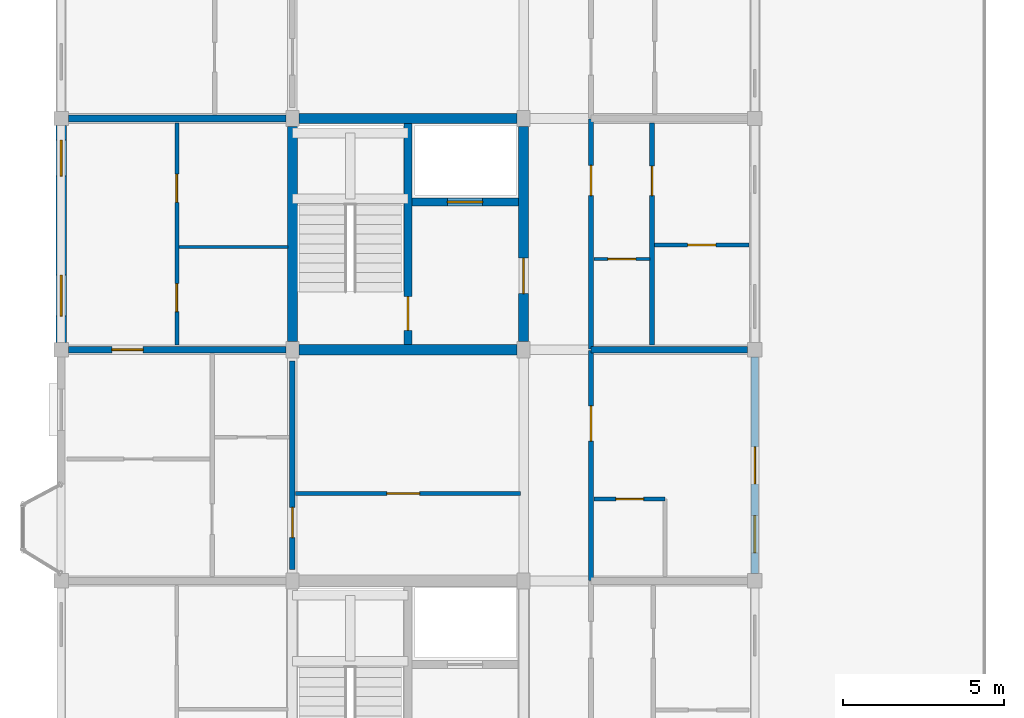
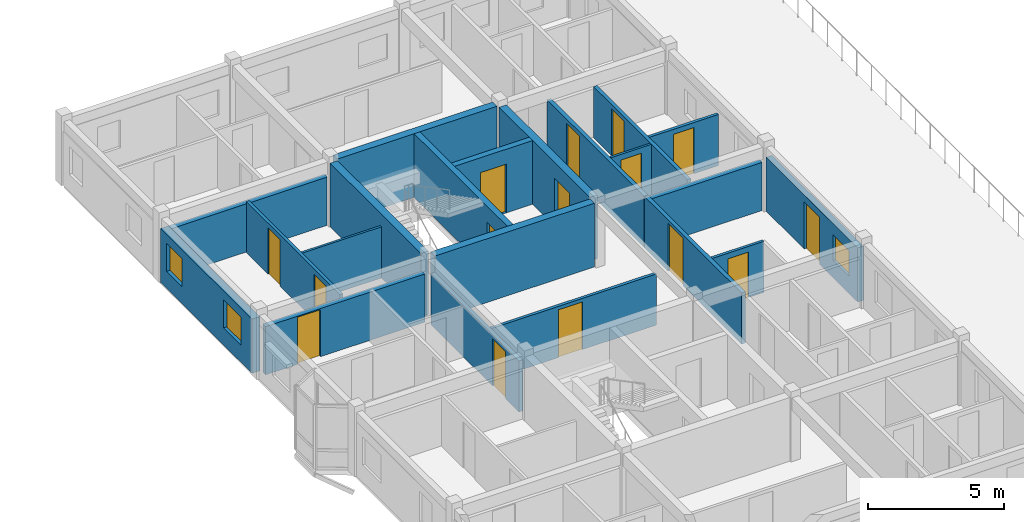
# One storey, part 28 of 40: 21 walls, 15 doors, 3 windows, 18 openings.
"""IFC4 building model written with IfcOpenShell, lengths in metres."""

from ifc_helpers import new_model, si_unit, direction, frame, frame_2d, origin, place, context, subcontext, project, spatial, rectangle, extrude, material, layer, layer_set, type_object, element, fill, save


model = new_model("IFC4")

# Units and contexts
model_context = context("Model", 3, precision=1e-05, world=origin(), true_north=direction((0.0, 1.0)))
body_context = subcontext(model_context, "Body", "Model", "MODEL_VIEW")
ifc_project = project(units=[si_unit("LENGTHUNIT", "METRE"), si_unit("AREAUNIT", "SQUARE_METRE"), si_unit("VOLUMEUNIT", "CUBIC_METRE"), si_unit("PLANEANGLEUNIT", "RADIAN"), si_unit("MASSUNIT", "GRAM", prefix="KILO"), si_unit("THERMODYNAMICTEMPERATUREUNIT", "KELVIN"), si_unit("POWERUNIT", "WATT")], contexts=[model_context])

# Site, building, storey
site_placement = place(None, origin())
site = spatial("IfcSite", under=ifc_project, at=site_placement, CompositionType="ELEMENT")
building_placement = place(site_placement, origin())
building = spatial("IfcBuilding", under=site, at=building_placement, Name="Tavuni Mirador Residences", CompositionType="ELEMENT")
storey_placement = place(building_placement, frame((0.0, 0.0, 36.0)))
storey = spatial("IfcBuildingStorey", under=building, at=storey_placement, Name="L11", CompositionType="ELEMENT", Elevation=36.0)

# Wall, opening, door
ifc_material_1 = material(Name="Precast concrete C40/50", Category="concrete")
ifc_layer_1 = layer(ifc_material_1, 0.25, Name="Precast concrete C40/50", Category="concrete")
ifc_layer_set_1 = layer_set([ifc_layer_1], Name="Precast concrete C40/50")
wall_type_1 = type_object("IfcWallType", Name="WT-COR250", PredefinedType="SHEAR", material=ifc_layer_set_1)
wall_1_placement = place(storey_placement, frame((14.39990234375, 28.9599609375, 0.0), z_axis=(0.0, 0.0, 1.0), x_axis=(0.0, 1.0, 0.0)))
wall_1 = element("IfcWall", 1, at=wall_1_placement, inside=storey, type_object=wall_type_1, Name="CWALL-C2-L11-MID", PredefinedType="SHEAR", context=body_context, shape_type="SweptSolid", body=[
    extrude(rectangle(XDim=6.880126953125, YDim=0.25, at=frame_2d((3.43994140625, 0.0))), origin(), (0.0, 0.0, 1.0), 2.8701171875),
])
opening_1_placement = place(wall_1_placement, frame((0.43994140625, 0.0, 0.0)))
opening_1 = element("IfcOpeningElement", 2, at=opening_1_placement, cuts=wall_1, Name="Opening D-01", PredefinedType="OPENING", context=body_context, shape_type="SweptSolid", body=[
    extrude(rectangle(XDim=1.050048828125, YDim=2.14990234375, at=frame_2d((0.52490234375, 1.074951171875))), frame((0.0, 0.135009765625, 0.0), z_axis=(0.0, -1.0, 0.0), x_axis=(1.0, 0.0, 0.0)), (0.0, 0.0, 1.0), 0.27001953125),
])
ifc_material_2 = material(Name="Solid core iroko timber", Category="wood")
door_type_1 = type_object("IfcDoorType", Name="DT-ST1050", OperationType="NOTDEFINED", PredefinedType="DOOR", material=ifc_material_2)
door_1_placement = place(opening_1_placement, origin())
door_1 = element("IfcDoor", 3, at=door_1_placement, inside=storey, type_object=door_type_1, Name="DR-2093", OperationType="SINGLE_SWING_LEFT", OverallHeight=2.14990234375, OverallWidth=1.050048828125, PredefinedType="DOOR", context=body_context, shape_type="SweptSolid", body=[
    extrude(rectangle(XDim=1.050048828125, YDim=2.14990234375, at=frame_2d((0.52490234375, 1.074951171875))), frame((0.0, 0.02490234375, 0.0), z_axis=(0.0, -1.0, 0.0), x_axis=(1.0, 0.0, 0.0)), (0.0, 0.0, 1.0), 0.050048828125),
])
fill(opening_1, door_1)

wall_2_placement = place(storey_placement, frame((14.52490234375, 33.39990234375, 0.0), z_axis=(0.0, 0.0, 1.0), x_axis=(1.0, 0.0, 0.0)))
wall_2 = element("IfcWall", 4, at=wall_2_placement, inside=storey, type_object=wall_type_1, Name="CWALL-C2-L11-SHF", PredefinedType="SHEAR", context=body_context, shape_type="SweptSolid", body=[
    extrude(rectangle(XDim=3.315185546875, YDim=0.25, at=frame_2d((1.65771484375, 0.0))), origin(), (0.0, 0.0, 1.0), 2.8701171875),
])
opening_2_placement = place(wall_2_placement, frame((1.10009765625, 0.0, 0.0)))
opening_2 = element("IfcOpeningElement", 5, at=opening_2_placement, cuts=wall_2, Name="Opening LD-01", PredefinedType="OPENING", context=body_context, shape_type="SweptSolid", body=[
    extrude(rectangle(XDim=1.10009765625, YDim=2.199951171875, at=frame_2d((0.550048828125, 1.10009765625))), frame((0.0, 0.135009765625, 0.0), z_axis=(0.0, -1.0, 0.0), x_axis=(1.0, 0.0, 0.0)), (0.0, 0.0, 1.0), 0.27001953125),
])
ifc_material_3 = material(Name="Structural steel S355", Category="steel")
door_type_2 = type_object("IfcDoorType", Name="DT-LD-FF", OperationType="SLIDING_TO_LEFT", PredefinedType="DOOR", material=ifc_material_3)
door_2_placement = place(opening_2_placement, origin())
door_2 = element("IfcDoor", 6, at=door_2_placement, inside=storey, type_object=door_type_2, Name="Lift landing door FL-A2 L11", OperationType="SLIDING_TO_LEFT", OverallHeight=2.199951171875, OverallWidth=1.10009765625, PredefinedType="DOOR", context=body_context, shape_type="SweptSolid", body=[
    extrude(rectangle(XDim=1.10009765625, YDim=2.199951171875, at=frame_2d((0.550048828125, 1.10009765625))), frame((0.0, 0.02490234375, 0.0), z_axis=(0.0, -1.0, 0.0), x_axis=(1.0, 0.0, 0.0)), (0.0, 0.0, 1.0), 0.050048828125),
])
fill(opening_2, door_2)

# Walls
ifc_layer_2 = layer(ifc_material_1, 0.320068359375, Name="Precast concrete C40/50", Category="concrete")
ifc_layer_set_2 = layer_set([ifc_layer_2], Name="Precast concrete C40/50")
wall_type_2 = type_object("IfcWallType", Name="WT-COR320", PredefinedType="SHEAR", material=ifc_layer_set_2)
wall_3_placement = place(storey_placement, frame((10.800048828125, 29.050048828125, 0.0), z_axis=(0.0, 0.0, 1.0), x_axis=(0.0, 1.0, 0.0)))
element("IfcWall", 7, at=wall_3_placement, inside=storey, type_object=wall_type_2, Name="CWALL-C2-L11-W", PredefinedType="SHEAR", context=body_context, shape_type="SweptSolid", body=[
    extrude(rectangle(XDim=6.699951171875, YDim=0.320068359375, at=frame_2d((3.35009765625, 0.0))), origin(), (0.0, 0.0, 1.0), 2.8701171875),
])
wall_4_placement = place(storey_placement, frame((11.0, 36.0, 0.0), z_axis=(0.0, 0.0, 1.0), x_axis=(1.0, 0.0, 0.0)))
element("IfcWall", 8, at=wall_4_placement, inside=storey, type_object=wall_type_2, Name="CWALL-C2-L11-N", PredefinedType="SHEAR", context=body_context, shape_type="SweptSolid", body=[
    extrude(rectangle(XDim=6.800048828125, YDim=0.320068359375, at=frame_2d((3.39990234375, 0.0))), origin(), (0.0, 0.0, 1.0), 2.8701171875),
])

# Wall, opening, door
wall_5_placement = place(storey_placement, frame((18.0, 29.050048828125, 0.0), z_axis=(0.0, 0.0, 1.0), x_axis=(0.0, 1.0, 0.0)))
wall_5 = element("IfcWall", 9, at=wall_5_placement, inside=storey, type_object=wall_type_2, Name="CWALL-C2-L11-E", PredefinedType="SHEAR", context=body_context, shape_type="SweptSolid", body=[
    extrude(rectangle(XDim=6.699951171875, YDim=0.320068359375, at=frame_2d((3.35009765625, 0.0))), origin(), (0.0, 0.0, 1.0), 2.8701171875),
])
opening_3_placement = place(wall_5_placement, frame((1.5, 0.0, 0.0)))
opening_3 = element("IfcOpeningElement", 10, at=opening_3_placement, cuts=wall_5, Name="Opening D-02", PredefinedType="OPENING", context=body_context, shape_type="SweptSolid", body=[
    extrude(rectangle(XDim=1.10009765625, YDim=2.14990234375, at=frame_2d((0.550048828125, 1.074951171875))), frame((0.0, 0.169921875, 0.0), z_axis=(0.0, -1.0, 0.0), x_axis=(1.0, 0.0, 0.0)), (0.0, 0.0, 1.0), 0.340087890625),
])
door_type_3 = type_object("IfcDoorType", Name="DT-LOB1100", OperationType="NOTDEFINED", PredefinedType="DOOR", material=ifc_material_2)
door_3_placement = place(opening_3_placement, frame((1.10009765625, 0.0, 0.0), z_axis=(0.0, 0.0, 1.0), x_axis=(-1.0, 0.0, 0.0)))
door_3 = element("IfcDoor", 11, at=door_3_placement, inside=storey, type_object=door_type_3, Name="DR-2092", OperationType="SINGLE_SWING_LEFT", OverallHeight=2.14990234375, OverallWidth=1.10009765625, PredefinedType="DOOR", context=body_context, shape_type="SweptSolid", body=[
    extrude(rectangle(XDim=1.10009765625, YDim=2.14990234375, at=frame_2d((0.550048828125, 1.074951171875))), frame((0.0, 0.02490234375, 0.0), z_axis=(0.0, -1.0, 0.0), x_axis=(1.0, 0.0, 0.0)), (0.0, 0.0, 1.0), 0.050048828125),
])
fill(opening_3, door_3)

# Wall
wall_6_placement = place(storey_placement, frame((11.0, 28.800048828125, 0.0), z_axis=(0.0, 0.0, 1.0), x_axis=(1.0, 0.0, 0.0)))
element("IfcWall", 12, at=wall_6_placement, inside=storey, type_object=wall_type_2, Name="CWALL-C2-L11-SS", PredefinedType="SHEAR", context=body_context, shape_type="SweptSolid", body=[
    extrude(rectangle(XDim=6.800048828125, YDim=0.320068359375, at=frame_2d((3.39990234375, 0.0))), origin(), (0.0, 0.0, 1.0), 2.8701171875),
])

# Wall, opening, door
ifc_layer_3 = layer(ifc_material_1, 0.1650390625, Name="Precast concrete C40/50", Category="concrete")
ifc_layer_set_3 = layer_set([ifc_layer_3], Name="Precast concrete C40/50")
wall_type_3 = type_object("IfcWallType", Name="WT-CORR165", PredefinedType="PARTITIONING", material=ifc_layer_set_3)
wall_7_placement = place(storey_placement, frame((20.10009765625, 21.6201171875, 0.0), z_axis=(0.0, 0.0, 1.0), x_axis=(0.0, 1.0, 0.0)))
wall_7 = element("IfcWall", 13, at=wall_7_placement, inside=storey, type_object=wall_type_3, Name="CORW-BLK-A-L11-0-02", PredefinedType="PARTITIONING", context=body_context, shape_type="SweptSolid", body=[
    extrude(rectangle(XDim=7.159912109375, YDim=0.1650390625, at=frame_2d((3.580078125, 0.0))), origin(), (0.0, 0.0, 1.0), 2.304931640625),
])
opening_4_placement = place(wall_7_placement, frame((4.330078125, 0.0, 0.0)))
opening_4 = element("IfcOpeningElement", 14, at=opening_4_placement, cuts=wall_7, Name="Opening D-02", PredefinedType="OPENING", context=body_context, shape_type="SweptSolid", body=[
    extrude(rectangle(XDim=1.10009765625, YDim=2.14990234375, at=frame_2d((0.550048828125, 1.074951171875))), frame((0.0, 0.092529296875, 0.0), z_axis=(0.0, -1.0, 0.0), x_axis=(1.0, 0.0, 0.0)), (0.0, 0.0, 1.0), 0.18505859375),
])
door_4_placement = place(opening_4_placement, origin())
door_4 = element("IfcDoor", 15, at=door_4_placement, inside=storey, type_object=door_type_3, Name="DR-2487", OperationType="SINGLE_SWING_RIGHT", OverallHeight=2.14990234375, OverallWidth=1.10009765625, PredefinedType="DOOR", context=body_context, shape_type="SweptSolid", body=[
    extrude(rectangle(XDim=1.10009765625, YDim=2.14990234375, at=frame_2d((0.550048828125, 1.074951171875))), frame((0.0, 0.02490234375, 0.0), z_axis=(0.0, -1.0, 0.0), x_axis=(1.0, 0.0, 0.0)), (0.0, 0.0, 1.0), 0.050048828125),
])
fill(opening_4, door_4)

wall_8_placement = place(storey_placement, frame((20.10009765625, 28.820068359375, 0.0), z_axis=(0.0, 0.0, 1.0), x_axis=(0.0, 1.0, 0.0)))
wall_8 = element("IfcWall", 16, at=wall_8_placement, inside=storey, type_object=wall_type_3, Name="CORW-BLK-A-L11-0-03", PredefinedType="PARTITIONING", context=body_context, shape_type="SweptSolid", body=[
    extrude(rectangle(XDim=7.159912109375, YDim=0.1650390625, at=frame_2d((3.580078125, 0.0))), origin(), (0.0, 0.0, 1.0), 2.304931640625),
])
opening_5_placement = place(wall_8_placement, frame((4.780029296875, 0.0, 0.0)))
opening_5 = element("IfcOpeningElement", 17, at=opening_5_placement, cuts=wall_8, Name="Opening D-19", PredefinedType="OPENING", context=body_context, shape_type="SweptSolid", body=[
    extrude(rectangle(XDim=0.93994140625, YDim=2.1201171875, at=frame_2d((0.469970703125, 1.06005859375))), frame((0.0, 0.092529296875, 0.0), z_axis=(0.0, -1.0, 0.0), x_axis=(1.0, 0.0, 0.0)), (0.0, 0.0, 1.0), 0.18505859375),
])
door_type_4 = type_object("IfcDoorType", Name="DT-FD60-940", OperationType="NOTDEFINED", PredefinedType="DOOR", material=ifc_material_2)
door_5_placement = place(opening_5_placement, origin())
door_5 = element("IfcDoor", 18, at=door_5_placement, inside=storey, type_object=door_type_4, Name="DR-2488", OperationType="SINGLE_SWING_LEFT", OverallHeight=2.1201171875, OverallWidth=0.93994140625, PredefinedType="DOOR", context=body_context, shape_type="SweptSolid", body=[
    extrude(rectangle(XDim=0.93994140625, YDim=2.1201171875, at=frame_2d((0.469970703125, 1.06005859375))), frame((0.0, 0.02490234375, 0.0), z_axis=(0.0, -1.0, 0.0), x_axis=(1.0, 0.0, 0.0)), (0.0, 0.0, 1.0), 0.050048828125),
])
fill(opening_5, door_5)

wall_9_placement = place(storey_placement, frame((10.800048828125, 21.949951171875, 0.0), z_axis=(0.0, 0.0, 1.0), x_axis=(0.0, 1.0, 0.0)))
wall_9 = element("IfcWall", 19, at=wall_9_placement, inside=storey, type_object=wall_type_3, Name="CORW-BLK-A-L11-1-02", PredefinedType="PARTITIONING", context=body_context, shape_type="SweptSolid", body=[
    extrude(rectangle(XDim=6.5, YDim=0.1650390625, at=frame_2d((3.25, 0.0))), origin(), (0.0, 0.0, 1.0), 2.304931640625),
])
opening_6_placement = place(wall_9_placement, frame((1.0, 0.0, 0.0)))
opening_6 = element("IfcOpeningElement", 20, at=opening_6_placement, cuts=wall_9, Name="Opening D-19", PredefinedType="OPENING", context=body_context, shape_type="SweptSolid", body=[
    extrude(rectangle(XDim=0.93994140625, YDim=2.1201171875, at=frame_2d((0.469970703125, 1.06005859375))), frame((0.0, 0.092529296875, 0.0), z_axis=(0.0, -1.0, 0.0), x_axis=(1.0, 0.0, 0.0)), (0.0, 0.0, 1.0), 0.18505859375),
])
door_6_placement = place(opening_6_placement, origin())
door_6 = element("IfcDoor", 21, at=door_6_placement, inside=storey, type_object=door_type_4, Name="DR-2491", OperationType="SINGLE_SWING_RIGHT", OverallHeight=2.1201171875, OverallWidth=0.93994140625, PredefinedType="DOOR", context=body_context, shape_type="SweptSolid", body=[
    extrude(rectangle(XDim=0.93994140625, YDim=2.1201171875, at=frame_2d((0.469970703125, 1.06005859375))), frame((0.0, 0.02490234375, 0.0), z_axis=(0.0, -1.0, 0.0), x_axis=(1.0, 0.0, 0.0)), (0.0, 0.0, 1.0), 0.050048828125),
])
fill(opening_6, door_6)

# Wall, openings, windows
ifc_layer_4 = layer(ifc_material_1, 0.330078125, Name="Precast concrete C40/50", Category="concrete")
ifc_layer_set_4 = layer_set([ifc_layer_4], Name="Precast concrete C40/50")
wall_type_4 = type_object("IfcWallType", Name="WT-EXT-COR330", PredefinedType="SOLIDWALL", material=ifc_layer_set_4)
wall_10_placement = place(storey_placement, frame((3.60009765625, 35.77490234375, 0.0), z_axis=(0.0, 0.0, 1.0), x_axis=(0.0, -1.0, 0.0)))
wall_10 = element("IfcWall", 22, at=wall_10_placement, inside=storey, type_object=wall_type_4, Name="EW-BLK-A-L11-W03", PredefinedType="SOLIDWALL", context=body_context, shape_type="SweptSolid", body=[
    extrude(rectangle(XDim=6.75, YDim=0.330078125, at=frame_2d((3.375, 0.0))), origin(), (0.0, 0.0, 1.0), 2.43994140625),
])
opening_7_placement = place(wall_10_placement, frame((0.449951171875, 0.0, 0.780029296875)))
opening_7 = element("IfcOpeningElement", 23, at=opening_7_placement, cuts=wall_10, Name="Opening WN-12", PredefinedType="OPENING", context=body_context, shape_type="SweptSolid", body=[
    extrude(rectangle(XDim=1.1201171875, YDim=1.260009765625, at=frame_2d((0.56005859375, 0.6298828125))), frame((0.0, 0.175048828125, 0.0), z_axis=(0.0, -1.0, 0.0), x_axis=(1.0, 0.0, 0.0)), (0.0, 0.0, 1.0), 0.35009765625),
])
opening_8_placement = place(wall_10_placement, frame((4.64990234375, 0.0, 0.780029296875)))
opening_8 = element("IfcOpeningElement", 24, at=opening_8_placement, cuts=wall_10, Name="Opening WN-14", PredefinedType="OPENING", context=body_context, shape_type="SweptSolid", body=[
    extrude(rectangle(XDim=1.280029296875, YDim=1.260009765625, at=frame_2d((0.64013671875, 0.6298828125))), frame((0.0, 0.175048828125, 0.0), z_axis=(0.0, -1.0, 0.0), x_axis=(1.0, 0.0, 0.0)), (0.0, 0.0, 1.0), 0.35009765625),
])
ifc_material_4 = material(Name="Laminated solar-control glass", Category="glass")
window_type_1 = type_object("IfcWindowType", Name="WNT-12", PartitioningType="SINGLE_PANEL", PredefinedType="WINDOW", material=ifc_material_4)
window_1_placement = place(opening_7_placement, origin())
window_1 = element("IfcWindow", 25, at=window_1_placement, inside=storey, type_object=window_type_1, Name="WIN-0420", OverallHeight=1.260009765625, OverallWidth=1.1201171875, PartitioningType="SINGLE_PANEL", PredefinedType="WINDOW", context=body_context, shape_type="SweptSolid", body=[
    extrude(rectangle(XDim=1.1201171875, YDim=1.260009765625, at=frame_2d((0.56005859375, 0.6298828125))), frame((0.0, 0.030029296875, 0.0), z_axis=(0.0, -1.0, 0.0), x_axis=(1.0, 0.0, 0.0)), (0.0, 0.0, 1.0), 0.06005859375),
])
fill(opening_7, window_1)
window_type_2 = type_object("IfcWindowType", Name="WNT-14", PartitioningType="SINGLE_PANEL", PredefinedType="WINDOW", material=ifc_material_4)
window_2_placement = place(opening_8_placement, origin())
window_2 = element("IfcWindow", 26, at=window_2_placement, inside=storey, type_object=window_type_2, Name="WIN-0421", OverallHeight=1.260009765625, OverallWidth=1.280029296875, PartitioningType="SINGLE_PANEL", PredefinedType="WINDOW", context=body_context, shape_type="SweptSolid", body=[
    extrude(rectangle(XDim=1.280029296875, YDim=1.260009765625, at=frame_2d((0.64013671875, 0.6298828125))), frame((0.0, 0.030029296875, 0.0), z_axis=(0.0, -1.0, 0.0), x_axis=(1.0, 0.0, 0.0)), (0.0, 0.0, 1.0), 0.06005859375),
])
fill(opening_8, window_2)

# Wall, openings, door, window
ifc_material_5 = material(Name="Sgraffito lime-rendered precast concrete C40/50", Category="concrete")
ifc_layer_5 = layer(ifc_material_5, 0.2451171875, Name="Sgraffito lime-rendered precast concrete C40/50", Category="concrete")
ifc_layer_set_5 = layer_set([ifc_layer_5], Name="Sgraffito lime-rendered precast concrete C40/50")
wall_type_5 = type_object("IfcWallType", Name="WT-EXT-PC245", PredefinedType="SOLIDWALL", material=ifc_layer_set_5)
wall_11_placement = place(storey_placement, frame((25.199951171875, 21.824951171875, 0.0), z_axis=(0.0, 0.0, 1.0), x_axis=(0.0, 1.0, 0.0)))
wall_11 = element("IfcWall", 27, at=wall_11_placement, inside=storey, type_object=wall_type_5, Name="EW-BLK-A-L11-E02", PredefinedType="SOLIDWALL", context=body_context, shape_type="SweptSolid", body=[
    extrude(rectangle(XDim=6.75, YDim=0.2451171875, at=frame_2d((3.375, 0.0))), origin(), (0.0, 0.0, 1.0), 2.43994140625),
])
opening_9_placement = place(wall_11_placement, frame((2.800048828125, 0.0, 0.0)))
opening_9 = element("IfcOpeningElement", 28, at=opening_9_placement, cuts=wall_11, Name="Opening TD-01", PredefinedType="OPENING", context=body_context, shape_type="SweptSolid", body=[
    extrude(rectangle(XDim=1.14990234375, YDim=2.1201171875, at=frame_2d((0.574951171875, 1.06005859375))), frame((0.0, 0.132568359375, 0.0), z_axis=(0.0, -1.0, 0.0), x_axis=(1.0, 0.0, 0.0)), (0.0, 0.0, 1.0), 0.26513671875),
])
opening_10_placement = place(wall_11_placement, frame((0.64990234375, 0.0, 0.780029296875)))
opening_10 = element("IfcOpeningElement", 29, at=opening_10_placement, cuts=wall_11, Name="Opening WN-05", PredefinedType="OPENING", context=body_context, shape_type="SweptSolid", body=[
    extrude(rectangle(XDim=1.159912109375, YDim=1.14990234375, at=frame_2d((0.580078125, 0.574951171875))), frame((0.0, 0.132568359375, 0.0), z_axis=(0.0, -1.0, 0.0), x_axis=(1.0, 0.0, 0.0)), (0.0, 0.0, 1.0), 0.26513671875),
])
ifc_material_6 = material(Name="Anodised aluminium", Category="aluminium")
door_type_5 = type_object("IfcDoorType", Name="DT-TER1150", OperationType="NOTDEFINED", PredefinedType="DOOR", material=ifc_material_6)
door_7_placement = place(opening_9_placement, frame((1.14990234375, 0.0, 0.0), z_axis=(0.0, 0.0, 1.0), x_axis=(-1.0, 0.0, 0.0)))
door_7 = element("IfcDoor", 30, at=door_7_placement, inside=storey, type_object=door_type_5, Name="DR-0005", OperationType="SINGLE_SWING_RIGHT", OverallHeight=2.1201171875, OverallWidth=1.14990234375, PredefinedType="DOOR", context=body_context, shape_type="SweptSolid", body=[
    extrude(rectangle(XDim=1.14990234375, YDim=2.1201171875, at=frame_2d((0.574951171875, 1.06005859375))), frame((0.0, 0.02490234375, 0.0), z_axis=(0.0, -1.0, 0.0), x_axis=(1.0, 0.0, 0.0)), (0.0, 0.0, 1.0), 0.050048828125),
])
fill(opening_9, door_7)
window_type_3 = type_object("IfcWindowType", Name="WNT-05", PartitioningType="SINGLE_PANEL", PredefinedType="WINDOW", material=ifc_material_4)
window_3_placement = place(opening_10_placement, origin())
window_3 = element("IfcWindow", 31, at=window_3_placement, inside=storey, type_object=window_type_3, Name="WIN-0406", OverallHeight=1.14990234375, OverallWidth=1.159912109375, PartitioningType="SINGLE_PANEL", PredefinedType="WINDOW", context=body_context, shape_type="SweptSolid", body=[
    extrude(rectangle(XDim=1.159912109375, YDim=1.14990234375, at=frame_2d((0.580078125, 0.574951171875))), frame((0.0, 0.030029296875, 0.0), z_axis=(0.0, -1.0, 0.0), x_axis=(1.0, 0.0, 0.0)), (0.0, 0.0, 1.0), 0.06005859375),
])
fill(opening_10, window_3)

# Wall
ifc_material_7 = material(Name="Acoustic gypsum and concrete block partition", Category="concrete")
ifc_layer_6 = layer(ifc_material_7, 0.094970703125, Name="Acoustic gypsum and concrete block partition", Category="concrete")
ifc_layer_set_6 = layer_set([ifc_layer_6], Name="Acoustic gypsum and concrete block partition")
wall_type_6 = type_object("IfcWallType", Name="WT-PART095", PredefinedType="PARTITIONING", material=ifc_layer_set_6)
wall_12_placement = place(storey_placement, frame((7.27001953125, 32.0, 0.0), z_axis=(0.0, 0.0, 1.0), x_axis=(1.0, 0.0, 0.0)))
element("IfcWall", 32, at=wall_12_placement, inside=storey, type_object=wall_type_6, Name="PW-BLK-A-L11-WC03-H", PredefinedType="PARTITIONING", context=body_context, shape_type="SweptSolid", body=[
    extrude(rectangle(XDim=3.389892578125, YDim=0.094970703125, at=frame_2d((1.69482421875, 0.0))), origin(), (0.0, 0.0, 1.0), 2.304931640625),
])

# Wall, opening, door
wall_13_placement = place(storey_placement, frame((20.18994140625, 31.6201171875, 0.0), z_axis=(0.0, 0.0, 1.0), x_axis=(1.0, 0.0, 0.0)))
wall_13 = element("IfcWall", 33, at=wall_13_placement, inside=storey, type_object=wall_type_6, Name="PW-BLK-A-L11-E03-IN1", PredefinedType="PARTITIONING", context=body_context, shape_type="SweptSolid", body=[
    extrude(rectangle(XDim=1.739990234375, YDim=0.094970703125, at=frame_2d((0.8701171875, 0.0))), origin(), (0.0, 0.0, 1.0), 2.304931640625),
])
opening_11_placement = place(wall_13_placement, frame((0.43505859375, 0.0, 0.0)))
opening_11 = element("IfcOpeningElement", 34, at=opening_11_placement, cuts=wall_13, Name="Opening D-10", PredefinedType="OPENING", context=body_context, shape_type="SweptSolid", body=[
    extrude(rectangle(XDim=0.8701171875, YDim=2.050048828125, at=frame_2d((0.43505859375, 1.02490234375))), frame((0.0, 0.0576171875, 0.0), z_axis=(0.0, -1.0, 0.0), x_axis=(1.0, 0.0, 0.0)), (0.0, 0.0, 1.0), 0.114990234375),
])
door_type_6 = type_object("IfcDoorType", Name="DT-WC870", OperationType="NOTDEFINED", PredefinedType="DOOR", material=ifc_material_2)
door_8_placement = place(opening_11_placement, origin())
door_8 = element("IfcDoor", 35, at=door_8_placement, inside=storey, type_object=door_type_6, Name="DR-3307", OperationType="SINGLE_SWING_LEFT", OverallHeight=2.050048828125, OverallWidth=0.8701171875, PredefinedType="DOOR", context=body_context, shape_type="SweptSolid", body=[
    extrude(rectangle(XDim=0.8701171875, YDim=2.050048828125, at=frame_2d((0.43505859375, 1.02490234375))), frame((0.0, 0.02490234375, 0.0), z_axis=(0.0, -1.0, 0.0), x_axis=(1.0, 0.0, 0.0)), (0.0, 0.0, 1.0), 0.050048828125),
])
fill(opening_11, door_8)

ifc_layer_7 = layer(ifc_material_7, 0.114990234375, Name="Acoustic gypsum and concrete block partition", Category="concrete")
ifc_layer_set_7 = layer_set([ifc_layer_7], Name="Acoustic gypsum and concrete block partition")
wall_type_7 = type_object("IfcWallType", Name="WT-PART115", PredefinedType="PARTITIONING", material=ifc_layer_set_7)
wall_14_placement = place(storey_placement, frame((20.18994140625, 24.14990234375, 0.0), z_axis=(0.0, 0.0, 1.0), x_axis=(1.0, 0.0, 0.0)))
wall_14 = element("IfcWall", 36, at=wall_14_placement, inside=storey, type_object=wall_type_7, Name="PW-BLK-A-L11-E02-2", PredefinedType="PARTITIONING", context=body_context, shape_type="SweptSolid", body=[
    extrude(rectangle(XDim=2.2099609375, YDim=0.114990234375, at=frame_2d((1.10498046875, 0.0))), origin(), (0.0, 0.0, 1.0), 2.304931640625),
])
opening_12_placement = place(wall_14_placement, frame((0.679931640625, 0.0, 0.0)))
opening_12 = element("IfcOpeningElement", 37, at=opening_12_placement, cuts=wall_14, Name="Opening D-10", PredefinedType="OPENING", context=body_context, shape_type="SweptSolid", body=[
    extrude(rectangle(XDim=0.8701171875, YDim=2.050048828125, at=frame_2d((0.43505859375, 1.02490234375))), frame((0.0, 0.0673828125, 0.0), z_axis=(0.0, -1.0, 0.0), x_axis=(1.0, 0.0, 0.0)), (0.0, 0.0, 1.0), 0.135009765625),
])
door_9_placement = place(opening_12_placement, origin())
door_9 = element("IfcDoor", 38, at=door_9_placement, inside=storey, type_object=door_type_6, Name="DR-3303", OperationType="SINGLE_SWING_LEFT", OverallHeight=2.050048828125, OverallWidth=0.8701171875, PredefinedType="DOOR", context=body_context, shape_type="SweptSolid", body=[
    extrude(rectangle(XDim=0.8701171875, YDim=2.050048828125, at=frame_2d((0.43505859375, 1.02490234375))), frame((0.0, 0.02490234375, 0.0), z_axis=(0.0, -1.0, 0.0), x_axis=(1.0, 0.0, 0.0)), (0.0, 0.0, 1.0), 0.050048828125),
])
fill(opening_12, door_9)

ifc_layer_8 = layer(ifc_material_7, 0.125, Name="Acoustic gypsum and concrete block partition", Category="concrete")
ifc_layer_set_8 = layer_set([ifc_layer_8], Name="Acoustic gypsum and concrete block partition")
wall_type_8 = type_object("IfcWallType", Name="WT-PART125", PredefinedType="PARTITIONING", material=ifc_layer_set_8)
wall_15_placement = place(storey_placement, frame((10.889892578125, 24.320068359375, 0.0), z_axis=(0.0, 0.0, 1.0), x_axis=(1.0, 0.0, 0.0)))
wall_15 = element("IfcWall", 39, at=wall_15_placement, inside=storey, type_object=wall_type_8, Name="PW-SPN-BLK-A-L11-02", PredefinedType="PARTITIONING", context=body_context, shape_type="SweptSolid", body=[
    extrude(rectangle(XDim=7.02001953125, YDim=0.125, at=frame_2d((3.510009765625, 0.0))), origin(), (0.0, 0.0, 1.0), 2.304931640625),
])
opening_13_placement = place(wall_15_placement, frame((2.85009765625, 0.0, 0.0)))
opening_13 = element("IfcOpeningElement", 40, at=opening_13_placement, cuts=wall_15, Name="Opening D-13", PredefinedType="OPENING", context=body_context, shape_type="SweptSolid", body=[
    extrude(rectangle(XDim=1.02001953125, YDim=2.14990234375, at=frame_2d((0.510009765625, 1.074951171875))), frame((0.0, 0.072509765625, 0.0), z_axis=(0.0, -1.0, 0.0), x_axis=(1.0, 0.0, 0.0)), (0.0, 0.0, 1.0), 0.14501953125),
])
door_type_7 = type_object("IfcDoorType", Name="DT-MTG1020", OperationType="NOTDEFINED", PredefinedType="DOOR", material=ifc_material_2)
door_10_placement = place(opening_13_placement, origin())
door_10 = element("IfcDoor", 41, at=door_10_placement, inside=storey, type_object=door_type_7, Name="DR-3299", OperationType="SINGLE_SWING_LEFT", OverallHeight=2.14990234375, OverallWidth=1.02001953125, PredefinedType="DOOR", context=body_context, shape_type="SweptSolid", body=[
    extrude(rectangle(XDim=1.02001953125, YDim=2.14990234375, at=frame_2d((0.510009765625, 1.074951171875))), frame((0.0, 0.02490234375, 0.0), z_axis=(0.0, -1.0, 0.0), x_axis=(1.0, 0.0, 0.0)), (0.0, 0.0, 1.0), 0.050048828125),
])
fill(opening_13, door_10)

# Wall, openings, doors
wall_16_placement = place(storey_placement, frame((7.199951171875, 28.93994140625, 0.0), z_axis=(0.0, 0.0, 1.0), x_axis=(0.0, 1.0, 0.0)))
wall_16 = element("IfcWall", 42, at=wall_16_placement, inside=storey, type_object=wall_type_8, Name="PW-BLK-A-L11-WC03-M", PredefinedType="PARTITIONING", context=body_context, shape_type="SweptSolid", body=[
    extrude(rectangle(XDim=6.920166015625, YDim=0.125, at=frame_2d((3.4599609375, 0.0))), origin(), (0.0, 0.0, 1.0), 2.304931640625),
])
opening_14_placement = place(wall_16_placement, frame((1.050048828125, 0.0, 0.0)))
opening_14 = element("IfcOpeningElement", 43, at=opening_14_placement, cuts=wall_16, Name="Opening D-10", PredefinedType="OPENING", context=body_context, shape_type="SweptSolid", body=[
    extrude(rectangle(XDim=0.8701171875, YDim=2.050048828125, at=frame_2d((0.43505859375, 1.02490234375))), frame((0.0, 0.072509765625, 0.0), z_axis=(0.0, -1.0, 0.0), x_axis=(1.0, 0.0, 0.0)), (0.0, 0.0, 1.0), 0.14501953125),
])
opening_15_placement = place(wall_16_placement, frame((4.449951171875, 0.0, 0.0)))
opening_15 = element("IfcOpeningElement", 44, at=opening_15_placement, cuts=wall_16, Name="Opening D-08", PredefinedType="OPENING", context=body_context, shape_type="SweptSolid", body=[
    extrude(rectangle(XDim=0.8798828125, YDim=2.080078125, at=frame_2d((0.43994140625, 1.0400390625))), frame((0.0, 0.072509765625, 0.0), z_axis=(0.0, -1.0, 0.0), x_axis=(1.0, 0.0, 0.0)), (0.0, 0.0, 1.0), 0.14501953125),
])
door_type_8 = type_object("IfcDoorType", Name="DT-BED880", OperationType="NOTDEFINED", PredefinedType="DOOR", material=ifc_material_2)
door_11_placement = place(opening_15_placement, origin())
door_11 = element("IfcDoor", 45, at=door_11_placement, inside=storey, type_object=door_type_8, Name="DR-3305", OperationType="SINGLE_SWING_LEFT", OverallHeight=2.080078125, OverallWidth=0.8798828125, PredefinedType="DOOR", context=body_context, shape_type="SweptSolid", body=[
    extrude(rectangle(XDim=0.8798828125, YDim=2.080078125, at=frame_2d((0.43994140625, 1.0400390625))), frame((0.0, 0.02490234375, 0.0), z_axis=(0.0, -1.0, 0.0), x_axis=(1.0, 0.0, 0.0)), (0.0, 0.0, 1.0), 0.050048828125),
])
fill(opening_15, door_11)
door_12_placement = place(opening_14_placement, origin())
door_12 = element("IfcDoor", 46, at=door_12_placement, inside=storey, type_object=door_type_6, Name="DR-3304", OperationType="SINGLE_SWING_RIGHT", OverallHeight=2.050048828125, OverallWidth=0.8701171875, PredefinedType="DOOR", context=body_context, shape_type="SweptSolid", body=[
    extrude(rectangle(XDim=0.8701171875, YDim=2.050048828125, at=frame_2d((0.43505859375, 1.02490234375))), frame((0.0, 0.02490234375, 0.0), z_axis=(0.0, -1.0, 0.0), x_axis=(1.0, 0.0, 0.0)), (0.0, 0.0, 1.0), 0.050048828125),
])
fill(opening_14, door_12)

# Wall, opening, door
wall_17_placement = place(storey_placement, frame((22.070068359375, 32.06005859375, 0.0), z_axis=(0.0, 0.0, 1.0), x_axis=(1.0, 0.0, 0.0)))
wall_17 = element("IfcWall", 47, at=wall_17_placement, inside=storey, type_object=wall_type_8, Name="PW-BLK-A-L11-E03-OUT", PredefinedType="PARTITIONING", context=body_context, shape_type="SweptSolid", body=[
    extrude(rectangle(XDim=2.954833984375, YDim=0.125, at=frame_2d((1.4775390625, 0.0))), origin(), (0.0, 0.0, 1.0), 2.304931640625),
])
opening_16_placement = place(wall_17_placement, frame((1.03759765625, 0.0, 0.0)))
opening_16 = element("IfcOpeningElement", 48, at=opening_16_placement, cuts=wall_17, Name="Opening D-08", PredefinedType="OPENING", context=body_context, shape_type="SweptSolid", body=[
    extrude(rectangle(XDim=0.8798828125, YDim=2.080078125, at=frame_2d((0.43994140625, 1.0400390625))), frame((0.0, 0.072509765625, 0.0), z_axis=(0.0, -1.0, 0.0), x_axis=(1.0, 0.0, 0.0)), (0.0, 0.0, 1.0), 0.14501953125),
])
door_13_placement = place(opening_16_placement, origin())
door_13 = element("IfcDoor", 49, at=door_13_placement, inside=storey, type_object=door_type_8, Name="DR-3306", OperationType="SINGLE_SWING_RIGHT", OverallHeight=2.080078125, OverallWidth=0.8798828125, PredefinedType="DOOR", context=body_context, shape_type="SweptSolid", body=[
    extrude(rectangle(XDim=0.8798828125, YDim=2.080078125, at=frame_2d((0.43994140625, 1.0400390625))), frame((0.0, 0.02490234375, 0.0), z_axis=(0.0, -1.0, 0.0), x_axis=(1.0, 0.0, 0.0)), (0.0, 0.0, 1.0), 0.050048828125),
])
fill(opening_16, door_13)

ifc_layer_9 = layer(ifc_material_7, 0.14990234375, Name="Acoustic gypsum and concrete block partition", Category="concrete")
ifc_layer_set_9 = layer_set([ifc_layer_9], Name="Acoustic gypsum and concrete block partition")
wall_type_9 = type_object("IfcWallType", Name="WT-PART150", PredefinedType="PARTITIONING", material=ifc_layer_set_9)
wall_18_placement = place(storey_placement, frame((22.0, 28.93994140625, 0.0), z_axis=(0.0, 0.0, 1.0), x_axis=(0.0, 1.0, 0.0)))
wall_18 = element("IfcWall", 50, at=wall_18_placement, inside=storey, type_object=wall_type_9, Name="PW-BLK-A-L11-E03-MID", PredefinedType="PARTITIONING", context=body_context, shape_type="SweptSolid", body=[
    extrude(rectangle(XDim=6.920166015625, YDim=0.14990234375, at=frame_2d((3.4599609375, 0.0))), origin(), (0.0, 0.0, 1.0), 2.304931640625),
])
opening_17_placement = place(wall_18_placement, frame((4.659912109375, 0.0, 0.0)))
opening_17 = element("IfcOpeningElement", 51, at=opening_17_placement, cuts=wall_18, Name="Opening D-06", PredefinedType="OPENING", context=body_context, shape_type="SweptSolid", body=[
    extrude(rectangle(XDim=0.919921875, YDim=2.10009765625, at=frame_2d((0.4599609375, 1.050048828125))), frame((0.0, 0.0849609375, 0.0), z_axis=(0.0, -1.0, 0.0), x_axis=(1.0, 0.0, 0.0)), (0.0, 0.0, 1.0), 0.169921875),
])
door_type_9 = type_object("IfcDoorType", Name="DT-INT920", OperationType="NOTDEFINED", PredefinedType="DOOR", material=ifc_material_2)
door_14_placement = place(opening_17_placement, origin())
door_14 = element("IfcDoor", 52, at=door_14_placement, inside=storey, type_object=door_type_9, Name="DR-3308", OperationType="SINGLE_SWING_RIGHT", OverallHeight=2.10009765625, OverallWidth=0.919921875, PredefinedType="DOOR", context=body_context, shape_type="SweptSolid", body=[
    extrude(rectangle(XDim=0.919921875, YDim=2.10009765625, at=frame_2d((0.4599609375, 1.050048828125))), frame((0.0, 0.02490234375, 0.0), z_axis=(0.0, -1.0, 0.0), x_axis=(1.0, 0.0, 0.0)), (0.0, 0.0, 1.0), 0.050048828125),
])
fill(opening_17, door_14)

ifc_layer_10 = layer(ifc_material_1, 0.215087890625, Name="Precast concrete C40/50", Category="concrete")
ifc_layer_set_10 = layer_set([ifc_layer_10], Name="Precast concrete C40/50")
wall_type_10 = type_object("IfcWallType", Name="WT-XW215", PredefinedType="SOLIDWALL", material=ifc_layer_set_10)
wall_19_placement = place(storey_placement, frame((3.824951171875, 28.800048828125, 0.0), z_axis=(0.0, 0.0, 1.0), x_axis=(1.0, 0.0, 0.0)))
wall_19 = element("IfcWall", 53, at=wall_19_placement, inside=storey, type_object=wall_type_10, Name="XW-BLK-A-L11-W-03", PredefinedType="SOLIDWALL", context=body_context, shape_type="SweptSolid", body=[
    extrude(rectangle(XDim=6.775146484375, YDim=0.215087890625, at=frame_2d((3.3876953125, 0.0))), origin(), (0.0, 0.0, 1.0), 2.169921875),
])
opening_18_placement = place(wall_19_placement, frame((1.35009765625, 0.0, 0.0)))
opening_18 = element("IfcOpeningElement", 54, at=opening_18_placement, cuts=wall_19, Name="Opening D-04", PredefinedType="OPENING", context=body_context, shape_type="SweptSolid", body=[
    extrude(rectangle(XDim=0.97998046875, YDim=2.1201171875, at=frame_2d((0.489990234375, 1.06005859375))), frame((0.0, 0.11767578125, 0.0), z_axis=(0.0, -1.0, 0.0), x_axis=(1.0, 0.0, 0.0)), (0.0, 0.0, 1.0), 0.235107421875),
])
door_type_10 = type_object("IfcDoorType", Name="DT-FD60-980", OperationType="NOTDEFINED", PredefinedType="DOOR", material=ifc_material_2)
door_15_placement = place(opening_18_placement, origin())
door_15 = element("IfcDoor", 55, at=door_15_placement, inside=storey, type_object=door_type_10, Name="DR-4697", OperationType="SINGLE_SWING_RIGHT", OverallHeight=2.1201171875, OverallWidth=0.97998046875, PredefinedType="DOOR", context=body_context, shape_type="SweptSolid", body=[
    extrude(rectangle(XDim=0.97998046875, YDim=2.1201171875, at=frame_2d((0.489990234375, 1.06005859375))), frame((0.0, 0.02490234375, 0.0), z_axis=(0.0, -1.0, 0.0), x_axis=(1.0, 0.0, 0.0)), (0.0, 0.0, 1.0), 0.050048828125),
])
fill(opening_18, door_15)

# Walls
wall_20_placement = place(storey_placement, frame((20.10009765625, 28.800048828125, 0.0), z_axis=(0.0, 0.0, 1.0), x_axis=(1.0, 0.0, 0.0)))
element("IfcWall", 56, at=wall_20_placement, inside=storey, type_object=wall_type_10, Name="XW-BLK-A-L11-E-03", PredefinedType="SOLIDWALL", context=body_context, shape_type="SweptSolid", body=[
    extrude(rectangle(XDim=4.875, YDim=0.215087890625, at=frame_2d((2.4375, 0.0))), origin(), (0.0, 0.0, 1.0), 2.169921875),
])
wall_21_placement = place(storey_placement, frame((3.824951171875, 36.0, 0.0), z_axis=(0.0, 0.0, 1.0), x_axis=(1.0, 0.0, 0.0)))
element("IfcWall", 57, at=wall_21_placement, inside=storey, type_object=wall_type_10, Name="XW-BLK-A-L11-W-04", PredefinedType="SOLIDWALL", context=body_context, shape_type="SweptSolid", body=[
    extrude(rectangle(XDim=6.775146484375, YDim=0.215087890625, at=frame_2d((3.3876953125, 0.0))), origin(), (0.0, 0.0, 1.0), 2.169921875),
])

save(model, "model.ifc")
